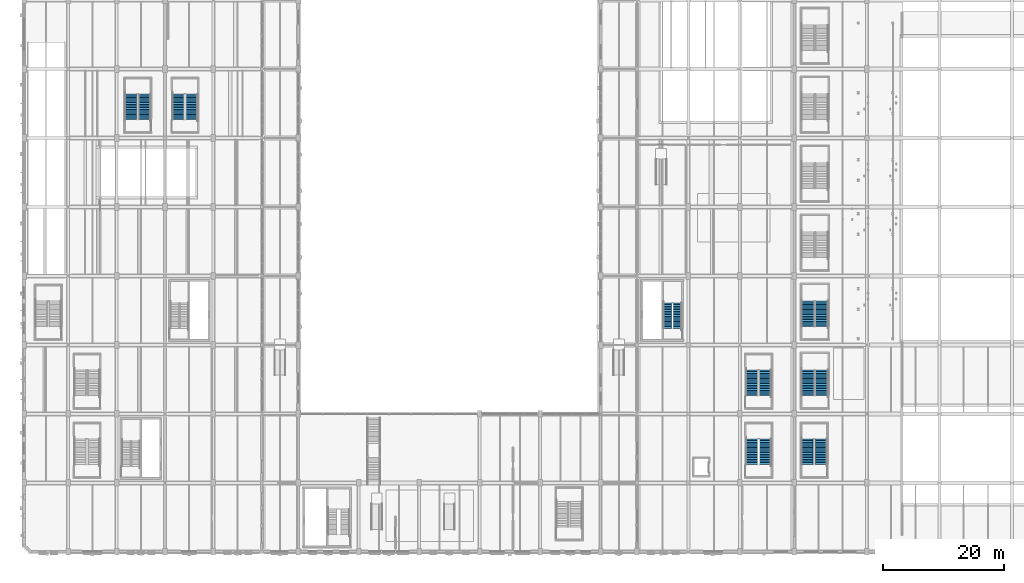
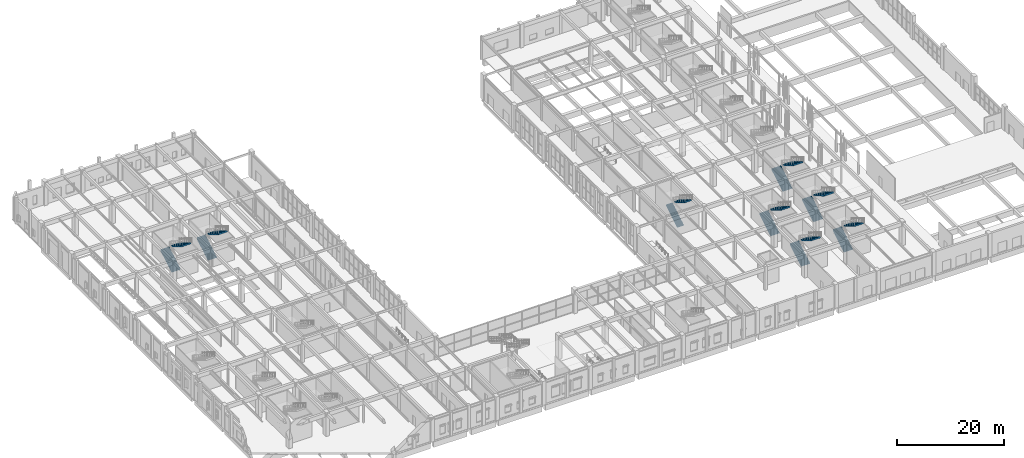
# One storey, part 95 of 113: 16 stair flights, 8 elements without a shape of their own.
"""IFC4 building model written with IfcOpenShell, lengths in metres."""

from ifc_helpers import new_model, si_unit, direction, frame, origin, place, context, subcontext, project, spatial, polyline, outline, extrude, material, type_object, element, aggregate, save


model = new_model("IFC4")

# Units and contexts
model_context = context("Model", 3, precision=1e-05, world=origin(), true_north=direction((0.0, 1.0)))
body_context = subcontext(model_context, "Body", "Model", "MODEL_VIEW")
ifc_project = project(units=[si_unit("LENGTHUNIT", "METRE"), si_unit("AREAUNIT", "SQUARE_METRE"), si_unit("VOLUMEUNIT", "CUBIC_METRE"), si_unit("PLANEANGLEUNIT", "RADIAN"), si_unit("MASSUNIT", "GRAM", prefix="KILO"), si_unit("POWERUNIT", "WATT"), si_unit("THERMODYNAMICTEMPERATUREUNIT", "KELVIN")], contexts=[model_context])

# Site, building, storey
site_placement = place(None, origin())
site = spatial("IfcSite", under=ifc_project, at=site_placement, CompositionType="ELEMENT")
building_placement = place(site_placement, origin())
building = spatial("IfcBuilding", under=site, at=building_placement, Name="Kelmbourne Parkland Aquatics Centre", CompositionType="ELEMENT")
storey_placement = place(building_placement, origin())
storey = spatial("IfcBuildingStorey", under=building, at=storey_placement, Name="L00", CompositionType="ELEMENT", Elevation=0.0)

# Stair, stair flights
ifc_material = material(Name="Concrete C40/50", Category="concrete")
stair_type_1 = type_object("IfcStairType", Name="ST-T13", PredefinedType="HALF_TURN_STAIR", material=ifc_material)
stair_1_placement = place(storey_placement, origin())
stair_1 = element("IfcStair", 1, at=stair_1_placement, inside=storey, type_object=stair_type_1, Name="East Spine Club and Village Core Stair ST04 (L00)", PredefinedType="HALF_TURN_STAIR")
stair_flight_type_1 = type_object("IfcStairFlightType", Name="STF-T13", PredefinedType="STRAIGHT", material=ifc_material)
stair_flight_1_placement = place(storey_placement, frame((107.044921875, 37.75, 0.0), z_axis=(0.0, 0.0, 1.0), x_axis=(0.0, 1.0, 0.0)))
stair_flight_1 = element("IfcStairFlight", 2, at=stair_flight_1_placement, type_object=stair_flight_type_1, Name="East Spine Club and Village Core Stair ST04 lower flight (L00)", NumberOfRisers=16, NumberOfTreads=15, PredefinedType="STRAIGHT", RiserHeight=0.16875, TreadLength=0.28, context=body_context, shape_type="SweptSolid", body=[
    extrude(outline(polyline([(-0.008056640625, 0.0), (-0.008056640625, 0.034912109375), (0.0, 0.034912109375), (0.0, 0.168701171875), (0.280029296875, 0.168701171875), (0.280029296875, 0.33740234375), (0.56005859375, 0.33740234375), (0.56005859375, 0.50634765625), (0.840087890625, 0.50634765625), (0.840087890625, 0.675048828125), (1.1201171875, 0.675048828125), (1.1201171875, 0.84375), (1.39990234375, 0.84375), (1.39990234375, 1.012451171875), (1.679931640625, 1.012451171875), (1.679931640625, 1.18115234375), (1.9599609375, 1.18115234375), (1.9599609375, 1.35009765625), (2.239990234375, 1.35009765625), (2.239990234375, 1.518798828125), (2.52001953125, 1.518798828125), (2.52001953125, 1.6875), (2.800048828125, 1.6875), (2.800048828125, 1.856201171875), (3.080078125, 1.856201171875), (3.080078125, 2.02490234375), (3.360107421875, 2.02490234375), (3.360107421875, 2.19384765625), (3.639892578125, 2.19384765625), (3.639892578125, 2.362548828125), (3.919921875, 2.362548828125), (3.919921875, 2.53125), (4.199951171875, 2.53125), (4.199951171875, 2.699951171875), (4.2080078125, 2.699951171875), (4.2080078125, 2.56005859375), (4.199951171875, 2.344482421875), (0.309814453125, 0.0), (-0.008056640625, 0.0)])), frame((0.0, 0.699951171875, 0.0), z_axis=(0.0, -1.0, 0.0), x_axis=(1.0, 0.0, 0.0)), (0.0, 0.0, 1.0), 1.39990234375),
])
stair_flight_2_placement = place(storey_placement, frame((108.679931640625, 41.949951171875, 2.699951171875), z_axis=(0.0, 0.0, 1.0), x_axis=(0.0, -1.0, 0.0)))
stair_flight_2 = element("IfcStairFlight", 3, at=stair_flight_2_placement, type_object=stair_flight_type_1, Name="East Spine Club and Village Core Stair ST04 upper flight (L00)", NumberOfRisers=16, NumberOfTreads=15, PredefinedType="STRAIGHT", RiserHeight=0.16875, TreadLength=0.28, context=body_context, shape_type="SweptSolid", body=[
    extrude(outline(polyline([(-0.008056640625, 0.0), (-0.008056640625, 0.034912109375), (0.0, 0.034912109375), (0.0, 0.168701171875), (0.280029296875, 0.168701171875), (0.280029296875, 0.33740234375), (0.56005859375, 0.33740234375), (0.56005859375, 0.50634765625), (0.840087890625, 0.50634765625), (0.840087890625, 0.675048828125), (1.1201171875, 0.675048828125), (1.1201171875, 0.84375), (1.39990234375, 0.84375), (1.39990234375, 1.012451171875), (1.679931640625, 1.012451171875), (1.679931640625, 1.18115234375), (1.9599609375, 1.18115234375), (1.9599609375, 1.35009765625), (2.239990234375, 1.35009765625), (2.239990234375, 1.518798828125), (2.52001953125, 1.518798828125), (2.52001953125, 1.6875), (2.800048828125, 1.6875), (2.800048828125, 1.856201171875), (3.080078125, 1.856201171875), (3.080078125, 2.02490234375), (3.360107421875, 2.02490234375), (3.360107421875, 2.19384765625), (3.639892578125, 2.19384765625), (3.639892578125, 2.362548828125), (3.919921875, 2.362548828125), (3.919921875, 2.53125), (4.199951171875, 2.53125), (4.199951171875, 2.699951171875), (4.2080078125, 2.699951171875), (4.2080078125, 2.56005859375), (4.199951171875, 2.344482421875), (0.309814453125, 0.0), (-0.008056640625, 0.0)])), frame((0.0, 0.699951171875, 0.0), z_axis=(0.0, -1.0, 0.0), x_axis=(1.0, 0.0, 0.0)), (0.0, 0.0, 1.0), 1.39990234375),
])
aggregate(stair_1, [stair_flight_1, stair_flight_2])

stair_type_2 = type_object("IfcStairType", Name="ST-T31", PredefinedType="HALF_TURN_STAIR", material=ifc_material)
stair_2_placement = place(storey_placement, origin())
stair_2 = element("IfcStair", 4, at=stair_2_placement, inside=storey, type_object=stair_type_2, Name="South East Concourse Exit Stair (L00)", PredefinedType="HALF_TURN_STAIR")
stair_flight_type_2 = type_object("IfcStairFlightType", Name="STF-T31", PredefinedType="STRAIGHT", material=ifc_material)
stair_flight_3_placement = place(storey_placement, frame((120.969970703125, 15.25, 0.0), z_axis=(0.0, 0.0, 1.0), x_axis=(0.0, 1.0, 0.0)))
stair_flight_3 = element("IfcStairFlight", 5, at=stair_flight_3_placement, type_object=stair_flight_type_2, Name="South East Concourse Exit Stair lower flight (L00)", NumberOfRisers=16, NumberOfTreads=15, PredefinedType="STRAIGHT", RiserHeight=0.16875, TreadLength=0.28, context=body_context, shape_type="SweptSolid", body=[
    extrude(outline(polyline([(-0.008056640625, 0.0), (-0.008056640625, 0.034912109375), (0.0, 0.034912109375), (0.0, 0.168701171875), (0.280029296875, 0.168701171875), (0.280029296875, 0.33740234375), (0.56005859375, 0.33740234375), (0.56005859375, 0.50634765625), (0.840087890625, 0.50634765625), (0.840087890625, 0.675048828125), (1.1201171875, 0.675048828125), (1.1201171875, 0.84375), (1.39990234375, 0.84375), (1.39990234375, 1.012451171875), (1.679931640625, 1.012451171875), (1.679931640625, 1.18115234375), (1.9599609375, 1.18115234375), (1.9599609375, 1.35009765625), (2.239990234375, 1.35009765625), (2.239990234375, 1.518798828125), (2.52001953125, 1.518798828125), (2.52001953125, 1.6875), (2.800048828125, 1.6875), (2.800048828125, 1.856201171875), (3.080078125, 1.856201171875), (3.080078125, 2.02490234375), (3.360107421875, 2.02490234375), (3.360107421875, 2.19384765625), (3.639892578125, 2.19384765625), (3.639892578125, 2.362548828125), (3.919921875, 2.362548828125), (3.919921875, 2.53125), (4.199951171875, 2.53125), (4.199951171875, 2.699951171875), (4.2080078125, 2.699951171875), (4.2080078125, 2.56005859375), (4.199951171875, 2.344482421875), (0.309814453125, 0.0), (-0.008056640625, 0.0)])), frame((0.0, 0.949951171875, 0.0), z_axis=(0.0, -1.0, 0.0), x_axis=(1.0, 0.0, 0.0)), (0.0, 0.0, 1.0), 1.89990234375),
])
stair_flight_4_placement = place(storey_placement, frame((123.22998046875, 19.449951171875, 2.699951171875), z_axis=(0.0, 0.0, 1.0), x_axis=(0.0, -1.0, 0.0)))
stair_flight_4 = element("IfcStairFlight", 6, at=stair_flight_4_placement, type_object=stair_flight_type_2, Name="South East Concourse Exit Stair upper flight (L00)", NumberOfRisers=16, NumberOfTreads=15, PredefinedType="STRAIGHT", RiserHeight=0.16875, TreadLength=0.28, context=body_context, shape_type="SweptSolid", body=[
    extrude(outline(polyline([(-0.008056640625, 0.0), (-0.008056640625, 0.034912109375), (0.0, 0.034912109375), (0.0, 0.168701171875), (0.280029296875, 0.168701171875), (0.280029296875, 0.33740234375), (0.56005859375, 0.33740234375), (0.56005859375, 0.50634765625), (0.840087890625, 0.50634765625), (0.840087890625, 0.675048828125), (1.1201171875, 0.675048828125), (1.1201171875, 0.84375), (1.39990234375, 0.84375), (1.39990234375, 1.012451171875), (1.679931640625, 1.012451171875), (1.679931640625, 1.18115234375), (1.9599609375, 1.18115234375), (1.9599609375, 1.35009765625), (2.239990234375, 1.35009765625), (2.239990234375, 1.518798828125), (2.52001953125, 1.518798828125), (2.52001953125, 1.6875), (2.800048828125, 1.6875), (2.800048828125, 1.856201171875), (3.080078125, 1.856201171875), (3.080078125, 2.02490234375), (3.360107421875, 2.02490234375), (3.360107421875, 2.19384765625), (3.639892578125, 2.19384765625), (3.639892578125, 2.362548828125), (3.919921875, 2.362548828125), (3.919921875, 2.53125), (4.199951171875, 2.53125), (4.199951171875, 2.699951171875), (4.2080078125, 2.699951171875), (4.2080078125, 2.56005859375), (4.199951171875, 2.344482421875), (0.309814453125, 0.0), (-0.008056640625, 0.0)])), frame((0.0, 0.949951171875, 0.0), z_axis=(0.0, -1.0, 0.0), x_axis=(1.0, 0.0, 0.0)), (0.0, 0.0, 1.0), 1.89990234375),
])
aggregate(stair_2, [stair_flight_3, stair_flight_4])

stair_type_3 = type_object("IfcStairType", Name="ST-T33", PredefinedType="HALF_TURN_STAIR", material=ifc_material)
stair_3_placement = place(storey_placement, origin())
stair_3 = element("IfcStair", 7, at=stair_3_placement, inside=storey, type_object=stair_type_3, Name="Main Bowl South Concourse Exit Stair (L00)", PredefinedType="HALF_TURN_STAIR")
stair_flight_type_3 = type_object("IfcStairFlightType", Name="STF-T33", PredefinedType="STRAIGHT", material=ifc_material)
stair_flight_5_placement = place(storey_placement, frame((130.169921875, 15.25, 0.0), z_axis=(0.0, 0.0, 1.0), x_axis=(0.0, 1.0, 0.0)))
stair_flight_5 = element("IfcStairFlight", 8, at=stair_flight_5_placement, type_object=stair_flight_type_3, Name="Main Bowl South Concourse Exit Stair lower flight (L00)", NumberOfRisers=16, NumberOfTreads=15, PredefinedType="STRAIGHT", RiserHeight=0.16875, TreadLength=0.28, context=body_context, shape_type="SweptSolid", body=[
    extrude(outline(polyline([(-0.008056640625, 0.0), (-0.008056640625, 0.034912109375), (0.0, 0.034912109375), (0.0, 0.168701171875), (0.280029296875, 0.168701171875), (0.280029296875, 0.33740234375), (0.56005859375, 0.33740234375), (0.56005859375, 0.50634765625), (0.840087890625, 0.50634765625), (0.840087890625, 0.675048828125), (1.1201171875, 0.675048828125), (1.1201171875, 0.84375), (1.39990234375, 0.84375), (1.39990234375, 1.012451171875), (1.679931640625, 1.012451171875), (1.679931640625, 1.18115234375), (1.9599609375, 1.18115234375), (1.9599609375, 1.35009765625), (2.239990234375, 1.35009765625), (2.239990234375, 1.518798828125), (2.52001953125, 1.518798828125), (2.52001953125, 1.6875), (2.800048828125, 1.6875), (2.800048828125, 1.856201171875), (3.080078125, 1.856201171875), (3.080078125, 2.02490234375), (3.360107421875, 2.02490234375), (3.360107421875, 2.19384765625), (3.639892578125, 2.19384765625), (3.639892578125, 2.362548828125), (3.919921875, 2.362548828125), (3.919921875, 2.53125), (4.199951171875, 2.53125), (4.199951171875, 2.699951171875), (4.2080078125, 2.699951171875), (4.2080078125, 2.56005859375), (4.199951171875, 2.344482421875), (0.309814453125, 0.0), (-0.008056640625, 0.0)])), frame((0.0, 0.949951171875, 0.0), z_axis=(0.0, -1.0, 0.0), x_axis=(1.0, 0.0, 0.0)), (0.0, 0.0, 1.0), 1.89990234375),
])
stair_flight_6_placement = place(storey_placement, frame((132.429931640625, 19.449951171875, 2.699951171875), z_axis=(0.0, 0.0, 1.0), x_axis=(0.0, -1.0, 0.0)))
stair_flight_6 = element("IfcStairFlight", 9, at=stair_flight_6_placement, type_object=stair_flight_type_3, Name="Main Bowl South Concourse Exit Stair upper flight (L00)", NumberOfRisers=16, NumberOfTreads=15, PredefinedType="STRAIGHT", RiserHeight=0.16875, TreadLength=0.28, context=body_context, shape_type="SweptSolid", body=[
    extrude(outline(polyline([(-0.008056640625, 0.0), (-0.008056640625, 0.034912109375), (0.0, 0.034912109375), (0.0, 0.168701171875), (0.280029296875, 0.168701171875), (0.280029296875, 0.33740234375), (0.56005859375, 0.33740234375), (0.56005859375, 0.50634765625), (0.840087890625, 0.50634765625), (0.840087890625, 0.675048828125), (1.1201171875, 0.675048828125), (1.1201171875, 0.84375), (1.39990234375, 0.84375), (1.39990234375, 1.012451171875), (1.679931640625, 1.012451171875), (1.679931640625, 1.18115234375), (1.9599609375, 1.18115234375), (1.9599609375, 1.35009765625), (2.239990234375, 1.35009765625), (2.239990234375, 1.518798828125), (2.52001953125, 1.518798828125), (2.52001953125, 1.6875), (2.800048828125, 1.6875), (2.800048828125, 1.856201171875), (3.080078125, 1.856201171875), (3.080078125, 2.02490234375), (3.360107421875, 2.02490234375), (3.360107421875, 2.19384765625), (3.639892578125, 2.19384765625), (3.639892578125, 2.362548828125), (3.919921875, 2.362548828125), (3.919921875, 2.53125), (4.199951171875, 2.53125), (4.199951171875, 2.699951171875), (4.2080078125, 2.699951171875), (4.2080078125, 2.56005859375), (4.199951171875, 2.344482421875), (0.309814453125, 0.0), (-0.008056640625, 0.0)])), frame((0.0, 0.949951171875, 0.0), z_axis=(0.0, -1.0, 0.0), x_axis=(1.0, 0.0, 0.0)), (0.0, 0.0, 1.0), 1.89990234375),
])
aggregate(stair_3, [stair_flight_5, stair_flight_6])

stair_type_4 = type_object("IfcStairType", Name="ST-T36", PredefinedType="HALF_TURN_STAIR", material=ifc_material)
stair_4_placement = place(storey_placement, origin())
stair_4 = element("IfcStair", 10, at=stair_4_placement, inside=storey, type_object=stair_type_4, Name="West North Prow Exit Stair (L00)", PredefinedType="HALF_TURN_STAIR")
stair_flight_type_4 = type_object("IfcStairFlightType", Name="STF-T36", PredefinedType="STRAIGHT", material=ifc_material)
stair_flight_7_placement = place(storey_placement, frame((26.169921875, 72.25, 0.0), z_axis=(0.0, 0.0, 1.0), x_axis=(0.0, 1.0, 0.0)))
stair_flight_7 = element("IfcStairFlight", 11, at=stair_flight_7_placement, type_object=stair_flight_type_4, Name="West North Prow Exit Stair lower flight (L00)", NumberOfRisers=16, NumberOfTreads=15, PredefinedType="STRAIGHT", RiserHeight=0.16875, TreadLength=0.28, context=body_context, shape_type="SweptSolid", body=[
    extrude(outline(polyline([(-0.008056640625, 0.0), (-0.008056640625, 0.034912109375), (0.0, 0.034912109375), (0.0, 0.168701171875), (0.280029296875, 0.168701171875), (0.280029296875, 0.33740234375), (0.56005859375, 0.33740234375), (0.56005859375, 0.50634765625), (0.840087890625, 0.50634765625), (0.840087890625, 0.675048828125), (1.1201171875, 0.675048828125), (1.1201171875, 0.84375), (1.39990234375, 0.84375), (1.39990234375, 1.012451171875), (1.679931640625, 1.012451171875), (1.679931640625, 1.18115234375), (1.9599609375, 1.18115234375), (1.9599609375, 1.35009765625), (2.239990234375, 1.35009765625), (2.239990234375, 1.518798828125), (2.52001953125, 1.518798828125), (2.52001953125, 1.6875), (2.800048828125, 1.6875), (2.800048828125, 1.856201171875), (3.080078125, 1.856201171875), (3.080078125, 2.02490234375), (3.360107421875, 2.02490234375), (3.360107421875, 2.19384765625), (3.639892578125, 2.19384765625), (3.639892578125, 2.362548828125), (3.919921875, 2.362548828125), (3.919921875, 2.53125), (4.199951171875, 2.53125), (4.199951171875, 2.699951171875), (4.2080078125, 2.699951171875), (4.2080078125, 2.56005859375), (4.199951171875, 2.344482421875), (0.309814453125, 0.0), (-0.008056640625, 0.0)])), frame((0.0, 0.949951171875, 0.0), z_axis=(0.0, -1.0, 0.0), x_axis=(1.0, 0.0, 0.0)), (0.0, 0.0, 1.0), 1.89990234375),
])
stair_flight_8_placement = place(storey_placement, frame((28.429931640625, 76.449951171875, 2.699951171875), z_axis=(0.0, 0.0, 1.0), x_axis=(0.0, -1.0, 0.0)))
stair_flight_8 = element("IfcStairFlight", 12, at=stair_flight_8_placement, type_object=stair_flight_type_4, Name="West North Prow Exit Stair upper flight (L00)", NumberOfRisers=16, NumberOfTreads=15, PredefinedType="STRAIGHT", RiserHeight=0.16875, TreadLength=0.28, context=body_context, shape_type="SweptSolid", body=[
    extrude(outline(polyline([(-0.008056640625, 0.0), (-0.008056640625, 0.034912109375), (0.0, 0.034912109375), (0.0, 0.168701171875), (0.280029296875, 0.168701171875), (0.280029296875, 0.33740234375), (0.56005859375, 0.33740234375), (0.56005859375, 0.50634765625), (0.840087890625, 0.50634765625), (0.840087890625, 0.675048828125), (1.1201171875, 0.675048828125), (1.1201171875, 0.84375), (1.39990234375, 0.84375), (1.39990234375, 1.012451171875), (1.679931640625, 1.012451171875), (1.679931640625, 1.18115234375), (1.9599609375, 1.18115234375), (1.9599609375, 1.35009765625), (2.239990234375, 1.35009765625), (2.239990234375, 1.518798828125), (2.52001953125, 1.518798828125), (2.52001953125, 1.6875), (2.800048828125, 1.6875), (2.800048828125, 1.856201171875), (3.080078125, 1.856201171875), (3.080078125, 2.02490234375), (3.360107421875, 2.02490234375), (3.360107421875, 2.19384765625), (3.639892578125, 2.19384765625), (3.639892578125, 2.362548828125), (3.919921875, 2.362548828125), (3.919921875, 2.53125), (4.199951171875, 2.53125), (4.199951171875, 2.699951171875), (4.2080078125, 2.699951171875), (4.2080078125, 2.56005859375), (4.199951171875, 2.344482421875), (0.309814453125, 0.0), (-0.008056640625, 0.0)])), frame((0.0, 0.949951171875, 0.0), z_axis=(0.0, -1.0, 0.0), x_axis=(1.0, 0.0, 0.0)), (0.0, 0.0, 1.0), 1.89990234375),
])
aggregate(stair_4, [stair_flight_7, stair_flight_8])

stair_type_5 = type_object("IfcStairType", Name="ST-T38", PredefinedType="HALF_TURN_STAIR", material=ifc_material)
stair_5_placement = place(storey_placement, origin())
stair_5 = element("IfcStair", 13, at=stair_5_placement, inside=storey, type_object=stair_type_5, Name="East Club Terrace Exit Stair (L00)", PredefinedType="HALF_TURN_STAIR")
stair_flight_type_5 = type_object("IfcStairFlightType", Name="STF-T38", PredefinedType="STRAIGHT", material=ifc_material)
stair_flight_9_placement = place(storey_placement, frame((120.969970703125, 26.64990234375, 0.0), z_axis=(0.0, 0.0, 1.0), x_axis=(0.0, 1.0, 0.0)))
stair_flight_9 = element("IfcStairFlight", 14, at=stair_flight_9_placement, type_object=stair_flight_type_5, Name="East Club Terrace Exit Stair lower flight (L00)", NumberOfRisers=16, NumberOfTreads=15, PredefinedType="STRAIGHT", RiserHeight=0.16875, TreadLength=0.28, context=body_context, shape_type="SweptSolid", body=[
    extrude(outline(polyline([(-0.008056640625, 0.0), (-0.008056640625, 0.034912109375), (0.0, 0.034912109375), (0.0, 0.168701171875), (0.280029296875, 0.168701171875), (0.280029296875, 0.33740234375), (0.56005859375, 0.33740234375), (0.56005859375, 0.50634765625), (0.840087890625, 0.50634765625), (0.840087890625, 0.675048828125), (1.1201171875, 0.675048828125), (1.1201171875, 0.84375), (1.39990234375, 0.84375), (1.39990234375, 1.012451171875), (1.679931640625, 1.012451171875), (1.679931640625, 1.18115234375), (1.9599609375, 1.18115234375), (1.9599609375, 1.35009765625), (2.239990234375, 1.35009765625), (2.239990234375, 1.518798828125), (2.52001953125, 1.518798828125), (2.52001953125, 1.6875), (2.800048828125, 1.6875), (2.800048828125, 1.856201171875), (3.080078125, 1.856201171875), (3.080078125, 2.02490234375), (3.360107421875, 2.02490234375), (3.360107421875, 2.19384765625), (3.639892578125, 2.19384765625), (3.639892578125, 2.362548828125), (3.919921875, 2.362548828125), (3.919921875, 2.53125), (4.199951171875, 2.53125), (4.199951171875, 2.699951171875), (4.2080078125, 2.699951171875), (4.2080078125, 2.56005859375), (4.199951171875, 2.344482421875), (0.309814453125, 0.0), (-0.008056640625, 0.0)])), frame((0.0, 0.949951171875, 0.0), z_axis=(0.0, -1.0, 0.0), x_axis=(1.0, 0.0, 0.0)), (0.0, 0.0, 1.0), 1.89990234375),
])
stair_flight_10_placement = place(storey_placement, frame((123.22998046875, 30.85009765625, 2.699951171875), z_axis=(0.0, 0.0, 1.0), x_axis=(0.0, -1.0, 0.0)))
stair_flight_10 = element("IfcStairFlight", 15, at=stair_flight_10_placement, type_object=stair_flight_type_5, Name="East Club Terrace Exit Stair upper flight (L00)", NumberOfRisers=16, NumberOfTreads=15, PredefinedType="STRAIGHT", RiserHeight=0.16875, TreadLength=0.28, context=body_context, shape_type="SweptSolid", body=[
    extrude(outline(polyline([(-0.008056640625, 0.0), (-0.008056640625, 0.034912109375), (0.0, 0.034912109375), (0.0, 0.168701171875), (0.280029296875, 0.168701171875), (0.280029296875, 0.33740234375), (0.56005859375, 0.33740234375), (0.56005859375, 0.50634765625), (0.840087890625, 0.50634765625), (0.840087890625, 0.675048828125), (1.1201171875, 0.675048828125), (1.1201171875, 0.84375), (1.39990234375, 0.84375), (1.39990234375, 1.012451171875), (1.679931640625, 1.012451171875), (1.679931640625, 1.18115234375), (1.9599609375, 1.18115234375), (1.9599609375, 1.35009765625), (2.239990234375, 1.35009765625), (2.239990234375, 1.518798828125), (2.52001953125, 1.518798828125), (2.52001953125, 1.6875), (2.800048828125, 1.6875), (2.800048828125, 1.856201171875), (3.080078125, 1.856201171875), (3.080078125, 2.02490234375), (3.360107421875, 2.02490234375), (3.360107421875, 2.19384765625), (3.639892578125, 2.19384765625), (3.639892578125, 2.362548828125), (3.919921875, 2.362548828125), (3.919921875, 2.53125), (4.199951171875, 2.53125), (4.199951171875, 2.699951171875), (4.2080078125, 2.699951171875), (4.2080078125, 2.56005859375), (4.199951171875, 2.344482421875), (0.309814453125, 0.0), (-0.008056640625, 0.0)])), frame((0.0, 0.949951171875, 0.0), z_axis=(0.0, -1.0, 0.0), x_axis=(1.0, 0.0, 0.0)), (0.0, 0.0, 1.0), 1.89990234375),
])
aggregate(stair_5, [stair_flight_9, stair_flight_10])

stair_type_6 = type_object("IfcStairType", Name="ST-T40", PredefinedType="HALF_TURN_STAIR", material=ifc_material)
stair_6_placement = place(storey_placement, origin())
stair_6 = element("IfcStair", 16, at=stair_6_placement, inside=storey, type_object=stair_type_6, Name="West Mid-Wing Exit Stair (L00)", PredefinedType="HALF_TURN_STAIR")
stair_flight_type_6 = type_object("IfcStairFlightType", Name="STF-T40", PredefinedType="STRAIGHT", material=ifc_material)
stair_flight_11_placement = place(storey_placement, frame((18.3701171875, 72.25, 0.0), z_axis=(0.0, 0.0, 1.0), x_axis=(0.0, 1.0, 0.0)))
stair_flight_11 = element("IfcStairFlight", 17, at=stair_flight_11_placement, type_object=stair_flight_type_6, Name="West Mid-Wing Exit Stair lower flight (L00)", NumberOfRisers=16, NumberOfTreads=15, PredefinedType="STRAIGHT", RiserHeight=0.16875, TreadLength=0.28, context=body_context, shape_type="SweptSolid", body=[
    extrude(outline(polyline([(-0.008056640625, 0.0), (-0.008056640625, 0.034912109375), (0.0, 0.034912109375), (0.0, 0.168701171875), (0.280029296875, 0.168701171875), (0.280029296875, 0.33740234375), (0.56005859375, 0.33740234375), (0.56005859375, 0.50634765625), (0.840087890625, 0.50634765625), (0.840087890625, 0.675048828125), (1.1201171875, 0.675048828125), (1.1201171875, 0.84375), (1.39990234375, 0.84375), (1.39990234375, 1.012451171875), (1.679931640625, 1.012451171875), (1.679931640625, 1.18115234375), (1.9599609375, 1.18115234375), (1.9599609375, 1.35009765625), (2.239990234375, 1.35009765625), (2.239990234375, 1.518798828125), (2.52001953125, 1.518798828125), (2.52001953125, 1.6875), (2.800048828125, 1.6875), (2.800048828125, 1.856201171875), (3.080078125, 1.856201171875), (3.080078125, 2.02490234375), (3.360107421875, 2.02490234375), (3.360107421875, 2.19384765625), (3.639892578125, 2.19384765625), (3.639892578125, 2.362548828125), (3.919921875, 2.362548828125), (3.919921875, 2.53125), (4.199951171875, 2.53125), (4.199951171875, 2.699951171875), (4.2080078125, 2.699951171875), (4.2080078125, 2.56005859375), (4.199951171875, 2.344482421875), (0.309814453125, 0.0), (-0.008056640625, 0.0)])), frame((0.0, 0.949951171875, 0.0), z_axis=(0.0, -1.0, 0.0), x_axis=(1.0, 0.0, 0.0)), (0.0, 0.0, 1.0), 1.89990234375),
])
stair_flight_12_placement = place(storey_placement, frame((20.6298828125, 76.449951171875, 2.699951171875), z_axis=(0.0, 0.0, 1.0), x_axis=(0.0, -1.0, 0.0)))
stair_flight_12 = element("IfcStairFlight", 18, at=stair_flight_12_placement, type_object=stair_flight_type_6, Name="West Mid-Wing Exit Stair upper flight (L00)", NumberOfRisers=16, NumberOfTreads=15, PredefinedType="STRAIGHT", RiserHeight=0.16875, TreadLength=0.28, context=body_context, shape_type="SweptSolid", body=[
    extrude(outline(polyline([(-0.008056640625, 0.0), (-0.008056640625, 0.034912109375), (0.0, 0.034912109375), (0.0, 0.168701171875), (0.280029296875, 0.168701171875), (0.280029296875, 0.33740234375), (0.56005859375, 0.33740234375), (0.56005859375, 0.50634765625), (0.840087890625, 0.50634765625), (0.840087890625, 0.675048828125), (1.1201171875, 0.675048828125), (1.1201171875, 0.84375), (1.39990234375, 0.84375), (1.39990234375, 1.012451171875), (1.679931640625, 1.012451171875), (1.679931640625, 1.18115234375), (1.9599609375, 1.18115234375), (1.9599609375, 1.35009765625), (2.239990234375, 1.35009765625), (2.239990234375, 1.518798828125), (2.52001953125, 1.518798828125), (2.52001953125, 1.6875), (2.800048828125, 1.6875), (2.800048828125, 1.856201171875), (3.080078125, 1.856201171875), (3.080078125, 2.02490234375), (3.360107421875, 2.02490234375), (3.360107421875, 2.19384765625), (3.639892578125, 2.19384765625), (3.639892578125, 2.362548828125), (3.919921875, 2.362548828125), (3.919921875, 2.53125), (4.199951171875, 2.53125), (4.199951171875, 2.699951171875), (4.2080078125, 2.699951171875), (4.2080078125, 2.56005859375), (4.199951171875, 2.344482421875), (0.309814453125, 0.0), (-0.008056640625, 0.0)])), frame((0.0, 0.949951171875, 0.0), z_axis=(0.0, -1.0, 0.0), x_axis=(1.0, 0.0, 0.0)), (0.0, 0.0, 1.0), 1.89990234375),
])
aggregate(stair_6, [stair_flight_11, stair_flight_12])

stair_type_7 = type_object("IfcStairType", Name="ST-T41", PredefinedType="HALF_TURN_STAIR", material=ifc_material)
stair_7_placement = place(storey_placement, origin())
stair_7 = element("IfcStair", 19, at=stair_7_placement, inside=storey, type_object=stair_type_7, Name="Spectator Bowl Exit Stair Bay 3 (L00)", PredefinedType="HALF_TURN_STAIR")
stair_flight_type_7 = type_object("IfcStairFlightType", Name="STF-T41", PredefinedType="STRAIGHT", material=ifc_material)
stair_flight_13_placement = place(storey_placement, frame((130.2451171875, 26.64990234375, 0.0), z_axis=(0.0, 0.0, 1.0), x_axis=(0.0, 1.0, 0.0)))
stair_flight_13 = element("IfcStairFlight", 20, at=stair_flight_13_placement, type_object=stair_flight_type_7, Name="Spectator Bowl Exit Stair Bay 3 lower flight (L00)", NumberOfRisers=16, NumberOfTreads=15, PredefinedType="STRAIGHT", RiserHeight=0.16875, TreadLength=0.28, context=body_context, shape_type="SweptSolid", body=[
    extrude(outline(polyline([(-0.008056640625, 0.0), (-0.008056640625, 0.034912109375), (0.0, 0.034912109375), (0.0, 0.168701171875), (0.280029296875, 0.168701171875), (0.280029296875, 0.33740234375), (0.56005859375, 0.33740234375), (0.56005859375, 0.50634765625), (0.840087890625, 0.50634765625), (0.840087890625, 0.675048828125), (1.1201171875, 0.675048828125), (1.1201171875, 0.84375), (1.39990234375, 0.84375), (1.39990234375, 1.012451171875), (1.679931640625, 1.012451171875), (1.679931640625, 1.18115234375), (1.9599609375, 1.18115234375), (1.9599609375, 1.35009765625), (2.239990234375, 1.35009765625), (2.239990234375, 1.518798828125), (2.52001953125, 1.518798828125), (2.52001953125, 1.6875), (2.800048828125, 1.6875), (2.800048828125, 1.856201171875), (3.080078125, 1.856201171875), (3.080078125, 2.02490234375), (3.360107421875, 2.02490234375), (3.360107421875, 2.19384765625), (3.639892578125, 2.19384765625), (3.639892578125, 2.362548828125), (3.919921875, 2.362548828125), (3.919921875, 2.53125), (4.199951171875, 2.53125), (4.199951171875, 2.699951171875), (4.2080078125, 2.699951171875), (4.2080078125, 2.56005859375), (4.199951171875, 2.344482421875), (0.309814453125, 0.0), (-0.008056640625, 0.0)])), frame((0.0, 1.02490234375, 0.0), z_axis=(0.0, -1.0, 0.0), x_axis=(1.0, 0.0, 0.0)), (0.0, 0.0, 1.0), 2.050048828125),
])
stair_flight_14_placement = place(storey_placement, frame((132.554931640625, 30.85009765625, 2.699951171875), z_axis=(0.0, 0.0, 1.0), x_axis=(0.0, -1.0, 0.0)))
stair_flight_14 = element("IfcStairFlight", 21, at=stair_flight_14_placement, type_object=stair_flight_type_7, Name="Spectator Bowl Exit Stair Bay 3 upper flight (L00)", NumberOfRisers=16, NumberOfTreads=15, PredefinedType="STRAIGHT", RiserHeight=0.16875, TreadLength=0.28, context=body_context, shape_type="SweptSolid", body=[
    extrude(outline(polyline([(-0.008056640625, 0.0), (-0.008056640625, 0.034912109375), (0.0, 0.034912109375), (0.0, 0.168701171875), (0.280029296875, 0.168701171875), (0.280029296875, 0.33740234375), (0.56005859375, 0.33740234375), (0.56005859375, 0.50634765625), (0.840087890625, 0.50634765625), (0.840087890625, 0.675048828125), (1.1201171875, 0.675048828125), (1.1201171875, 0.84375), (1.39990234375, 0.84375), (1.39990234375, 1.012451171875), (1.679931640625, 1.012451171875), (1.679931640625, 1.18115234375), (1.9599609375, 1.18115234375), (1.9599609375, 1.35009765625), (2.239990234375, 1.35009765625), (2.239990234375, 1.518798828125), (2.52001953125, 1.518798828125), (2.52001953125, 1.6875), (2.800048828125, 1.6875), (2.800048828125, 1.856201171875), (3.080078125, 1.856201171875), (3.080078125, 2.02490234375), (3.360107421875, 2.02490234375), (3.360107421875, 2.19384765625), (3.639892578125, 2.19384765625), (3.639892578125, 2.362548828125), (3.919921875, 2.362548828125), (3.919921875, 2.53125), (4.199951171875, 2.53125), (4.199951171875, 2.699951171875), (4.2080078125, 2.699951171875), (4.2080078125, 2.56005859375), (4.199951171875, 2.344482421875), (0.309814453125, 0.0), (-0.008056640625, 0.0)])), frame((0.0, 1.02490234375, 0.0), z_axis=(0.0, -1.0, 0.0), x_axis=(1.0, 0.0, 0.0)), (0.0, 0.0, 1.0), 2.050048828125),
])
aggregate(stair_7, [stair_flight_13, stair_flight_14])

stair_type_8 = type_object("IfcStairType", Name="ST-T42", PredefinedType="HALF_TURN_STAIR", material=ifc_material)
stair_8_placement = place(storey_placement, origin())
stair_8 = element("IfcStair", 22, at=stair_8_placement, inside=storey, type_object=stair_type_8, Name="Spectator Bowl Exit Stair Bay 4 (L00)", PredefinedType="HALF_TURN_STAIR")
stair_flight_type_8 = type_object("IfcStairFlightType", Name="STF-T42", PredefinedType="STRAIGHT", material=ifc_material)
stair_flight_15_placement = place(storey_placement, frame((130.2451171875, 38.050048828125, 0.0), z_axis=(0.0, 0.0, 1.0), x_axis=(0.0, 1.0, 0.0)))
stair_flight_15 = element("IfcStairFlight", 23, at=stair_flight_15_placement, type_object=stair_flight_type_8, Name="Spectator Bowl Exit Stair Bay 4 lower flight (L00)", NumberOfRisers=16, NumberOfTreads=15, PredefinedType="STRAIGHT", RiserHeight=0.16875, TreadLength=0.28, context=body_context, shape_type="SweptSolid", body=[
    extrude(outline(polyline([(-0.008056640625, 0.0), (-0.008056640625, 0.034912109375), (0.0, 0.034912109375), (0.0, 0.168701171875), (0.280029296875, 0.168701171875), (0.280029296875, 0.33740234375), (0.56005859375, 0.33740234375), (0.56005859375, 0.50634765625), (0.840087890625, 0.50634765625), (0.840087890625, 0.675048828125), (1.1201171875, 0.675048828125), (1.1201171875, 0.84375), (1.39990234375, 0.84375), (1.39990234375, 1.012451171875), (1.679931640625, 1.012451171875), (1.679931640625, 1.18115234375), (1.9599609375, 1.18115234375), (1.9599609375, 1.35009765625), (2.239990234375, 1.35009765625), (2.239990234375, 1.518798828125), (2.52001953125, 1.518798828125), (2.52001953125, 1.6875), (2.800048828125, 1.6875), (2.800048828125, 1.856201171875), (3.080078125, 1.856201171875), (3.080078125, 2.02490234375), (3.360107421875, 2.02490234375), (3.360107421875, 2.19384765625), (3.639892578125, 2.19384765625), (3.639892578125, 2.362548828125), (3.919921875, 2.362548828125), (3.919921875, 2.53125), (4.199951171875, 2.53125), (4.199951171875, 2.699951171875), (4.2080078125, 2.699951171875), (4.2080078125, 2.56005859375), (4.199951171875, 2.344482421875), (0.309814453125, 0.0), (-0.008056640625, 0.0)])), frame((0.0, 1.02490234375, 0.0), z_axis=(0.0, -1.0, 0.0), x_axis=(1.0, 0.0, 0.0)), (0.0, 0.0, 1.0), 2.050048828125),
])
stair_flight_16_placement = place(storey_placement, frame((132.554931640625, 42.25, 2.699951171875), z_axis=(0.0, 0.0, 1.0), x_axis=(0.0, -1.0, 0.0)))
stair_flight_16 = element("IfcStairFlight", 24, at=stair_flight_16_placement, type_object=stair_flight_type_8, Name="Spectator Bowl Exit Stair Bay 4 upper flight (L00)", NumberOfRisers=16, NumberOfTreads=15, PredefinedType="STRAIGHT", RiserHeight=0.16875, TreadLength=0.28, context=body_context, shape_type="SweptSolid", body=[
    extrude(outline(polyline([(-0.008056640625, 0.0), (-0.008056640625, 0.034912109375), (0.0, 0.034912109375), (0.0, 0.168701171875), (0.280029296875, 0.168701171875), (0.280029296875, 0.33740234375), (0.56005859375, 0.33740234375), (0.56005859375, 0.50634765625), (0.840087890625, 0.50634765625), (0.840087890625, 0.675048828125), (1.1201171875, 0.675048828125), (1.1201171875, 0.84375), (1.39990234375, 0.84375), (1.39990234375, 1.012451171875), (1.679931640625, 1.012451171875), (1.679931640625, 1.18115234375), (1.9599609375, 1.18115234375), (1.9599609375, 1.35009765625), (2.239990234375, 1.35009765625), (2.239990234375, 1.518798828125), (2.52001953125, 1.518798828125), (2.52001953125, 1.6875), (2.800048828125, 1.6875), (2.800048828125, 1.856201171875), (3.080078125, 1.856201171875), (3.080078125, 2.02490234375), (3.360107421875, 2.02490234375), (3.360107421875, 2.19384765625), (3.639892578125, 2.19384765625), (3.639892578125, 2.362548828125), (3.919921875, 2.362548828125), (3.919921875, 2.53125), (4.199951171875, 2.53125), (4.199951171875, 2.699951171875), (4.2080078125, 2.699951171875), (4.2080078125, 2.56005859375), (4.199951171875, 2.344482421875), (0.309814453125, 0.0), (-0.008056640625, 0.0)])), frame((0.0, 1.02490234375, 0.0), z_axis=(0.0, -1.0, 0.0), x_axis=(1.0, 0.0, 0.0)), (0.0, 0.0, 1.0), 2.050048828125),
])
aggregate(stair_8, [stair_flight_15, stair_flight_16])

save(model, "model.ifc")
